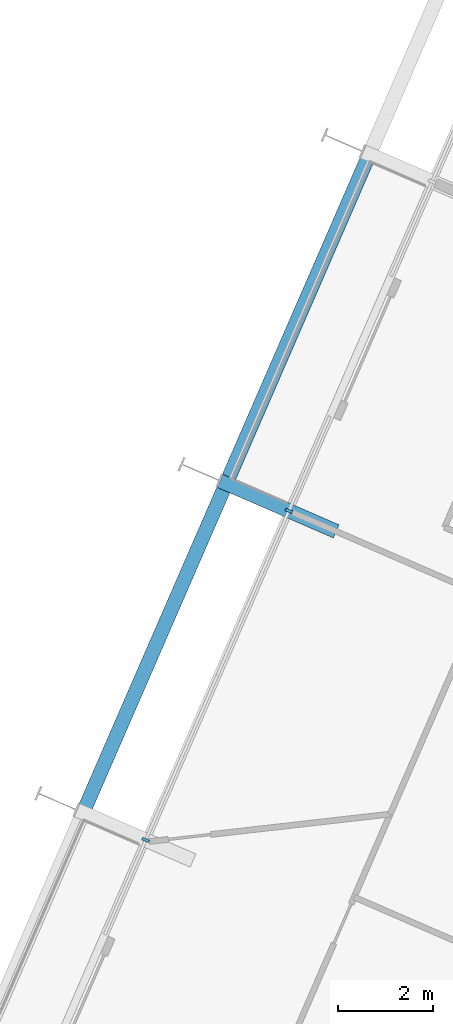
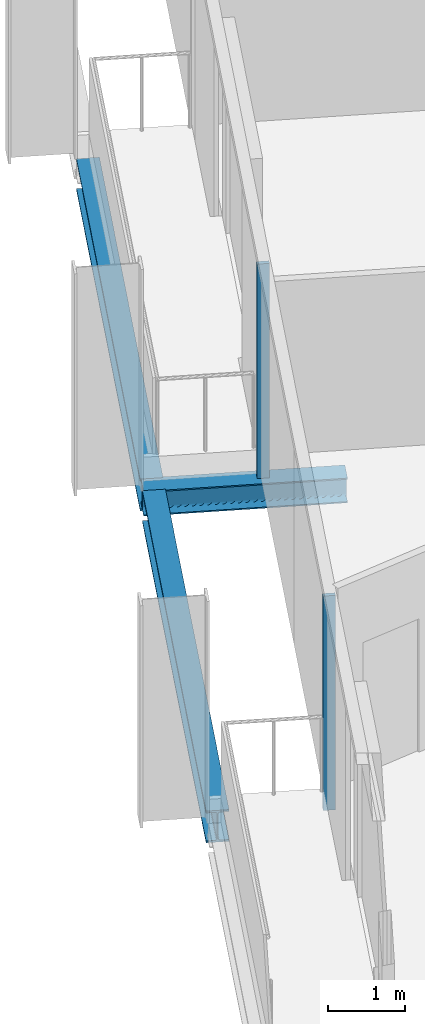
# One storey, part 5 of 24: 3 beams, 2 members, 1 element without a shape of its own.
"""IFC4 building model written with IfcOpenShell, lengths in metres."""

from ifc_helpers import new_model, si_unit, direction, frame, origin, origin_2d, place, context, subcontext, project, spatial, rectangle, i_section, extrude, material, layer, layer_set, material_profile, profile_set, type_object, element, aggregate, save


model = new_model("IFC4")

# Units and contexts
model_context = context("Model", 3, precision=1e-05, world=origin(), true_north=direction((0.0, 1.0)))
body_context = subcontext(model_context, "Body", "Model", "MODEL_VIEW")
ifc_project = project(units=[si_unit("LENGTHUNIT", "METRE"), si_unit("AREAUNIT", "SQUARE_METRE"), si_unit("VOLUMEUNIT", "CUBIC_METRE"), si_unit("PLANEANGLEUNIT", "RADIAN"), si_unit("MASSUNIT", "GRAM", prefix="KILO")], contexts=[model_context])

# Site, building, storey
site_placement = place(None, origin())
site = spatial("IfcSite", under=ifc_project, at=site_placement, CompositionType="ELEMENT")
building_placement = place(site_placement, origin())
building = spatial("IfcBuilding", under=site, at=building_placement, Name="Spindle Arch Residences", CompositionType="ELEMENT")
storey_placement = place(building_placement, frame((0.0, 0.0, 87.199951171875)))
storey = spatial("IfcBuildingStorey", under=building, at=storey_placement, Name="L20", CompositionType="ELEMENT", Elevation=87.199951171875)

# Curtain wall, members
ifc_material_1 = material(Name="Aluminium bronze unitised frame with tinted glass", Category="aluminium")
ifc_layer = layer(ifc_material_1, 0.159912109375)
ifc_layer_set = layer_set([ifc_layer], Name="CW-C typical residential unitised wall")
curtain_wall_type = type_object("IfcCurtainWallType", Name="CW-C typical residential unitised wall", PredefinedType="NOTDEFINED", material=ifc_layer_set)
curtain_wall_placement = place(storey_placement, origin())
curtain_wall = element("IfcCurtainWall", 1, at=curtain_wall_placement, inside=storey, type_object=curtain_wall_type, Name="CW-C L20 run 4", PredefinedType="NOTDEFINED")
ifc_material_2 = material(Name="Aluminium bronze anodised mullion", Category="aluminium")
ifc_material_profile_1 = material_profile(ifc_material_2, rectangle(XDim=0.159912109375, YDim=0.06005859375, at=origin_2d()), Name="MU 60x160")
ifc_profile_set_1 = profile_set([ifc_material_profile_1], Name="Aluminium bronze anodised mullion")
member_type = type_object("IfcMemberType", Name="Bronze mullion 60x160", PredefinedType="MULLION", material=ifc_profile_set_1)
member_1_placement = place(storey_placement, frame((-19.232666015625, 4.26318359375, -0.3798828125), z_axis=(0.0, 0.0, 1.0), x_axis=(0.917060074385, -0.398749068925, 0.0)))
member_1 = element("IfcMember", 2, at=member_1_placement, type_object=member_type, Name="CW-C mullion 16", PredefinedType="MULLION", context=body_context, shape_type="SweptSolid", body=[
    extrude(rectangle(XDim=0.159912109375, YDim=0.06005859375, at=origin_2d()), origin(), (0.0, 0.0, 1.0), 3.3798828125),
])
member_2_placement = place(storey_placement, frame((-22.23095703125, -2.632080078125, -0.3798828125), z_axis=(0.0, 0.0, 1.0), x_axis=(0.917060074385, -0.398749068925, 0.0)))
member_2 = element("IfcMember", 3, at=member_2_placement, type_object=member_type, Name="CW-C mullion 17", PredefinedType="MULLION", context=body_context, shape_type="SweptSolid", body=[
    extrude(rectangle(XDim=0.159912109375, YDim=0.06005859375, at=origin_2d()), origin(), (0.0, 0.0, 1.0), 3.3798828125),
])
aggregate(curtain_wall, [member_1, member_2])

# Beams
ifc_material_3 = material(Name="Steel S460ML, intumescent coating R 120", Category="steel")
ifc_material_profile_2 = material_profile(ifc_material_3, i_section(OverallWidth=0.300048828125, OverallDepth=0.5, WebThickness=0.014404296875, FlangeThickness=0.028076171875, FilletRadius=0.027099609375, at=origin_2d()), Name="HEB 500")
ifc_profile_set_2 = profile_set([ifc_material_profile_2], Name="Steel S460ML, intumescent coating R 120")
beam_type_1 = type_object("IfcBeamType", Name="Exoskeleton edge beam HEB 500", PredefinedType="BEAM", material=ifc_profile_set_2)
for number, where, z_axis, x_axis, name in (
    (4, (-17.6005859375, 11.610595703125, -0.6298828125), (-0.398760546857, -0.917055083553, 0.0), (0.917055083553, -0.398760546857, 0.0), "Exoskeleton edge beam 16"),
    (5, (-20.5986328125, 4.71533203125, -0.6298828125), (-0.398760546857, -0.917055083553, 0.0), (0.917055083553, -0.398760546857, 0.0), "Exoskeleton edge beam 17"),
):
    element("IfcBeam", number, at=place(storey_placement, frame(where, z_axis=z_axis, x_axis=x_axis)), inside=storey, type_object=beam_type_1, Name=name, PredefinedType="BEAM", context=body_context, shape_type="SweptSolid", body=[
        extrude(i_section(OverallWidth=0.300048828125, OverallDepth=0.5, WebThickness=0.014404296875, FlangeThickness=0.028076171875, FilletRadius=0.027099609375, at=origin_2d()), origin(), (0.0, 0.0, 1.0), 7.2587890625),
    ])
ifc_material_4 = material(Name="Steel S460ML, intumescent coating R 120", Category="steel")
ifc_material_profile_3 = material_profile(ifc_material_4, i_section(OverallWidth=0.300048828125, OverallDepth=0.389892578125, WebThickness=0.010986328125, FlangeThickness=0.01904296875, FilletRadius=0.027099609375, at=origin_2d()), Name="HEA 400")
ifc_profile_set_3 = profile_set([ifc_material_profile_3], Name="Steel S460ML, intumescent coating R 120")
beam_type_2 = type_object("IfcBeamType", Name="Floor outrigger HEA 400", PredefinedType="BEAM", material=ifc_profile_set_3)
beam_placement = place(storey_placement, frame((-20.672607421875, 4.889404296875, -0.574951171875), z_axis=(0.917045157424, -0.398783373831, 0.0), x_axis=(0.398783373831, 0.917045157424, 0.0)))
element("IfcBeam", 6, at=beam_placement, inside=storey, type_object=beam_type_2, Name="Floor outrigger 17", PredefinedType="BEAM", context=body_context, shape_type="SweptSolid", body=[
    extrude(i_section(OverallWidth=0.300048828125, OverallDepth=0.389892578125, WebThickness=0.010986328125, FlangeThickness=0.01904296875, FilletRadius=0.027099609375, at=origin_2d()), origin(), (0.0, 0.0, 1.0), 2.650390625),
])

save(model, "model.ifc")
